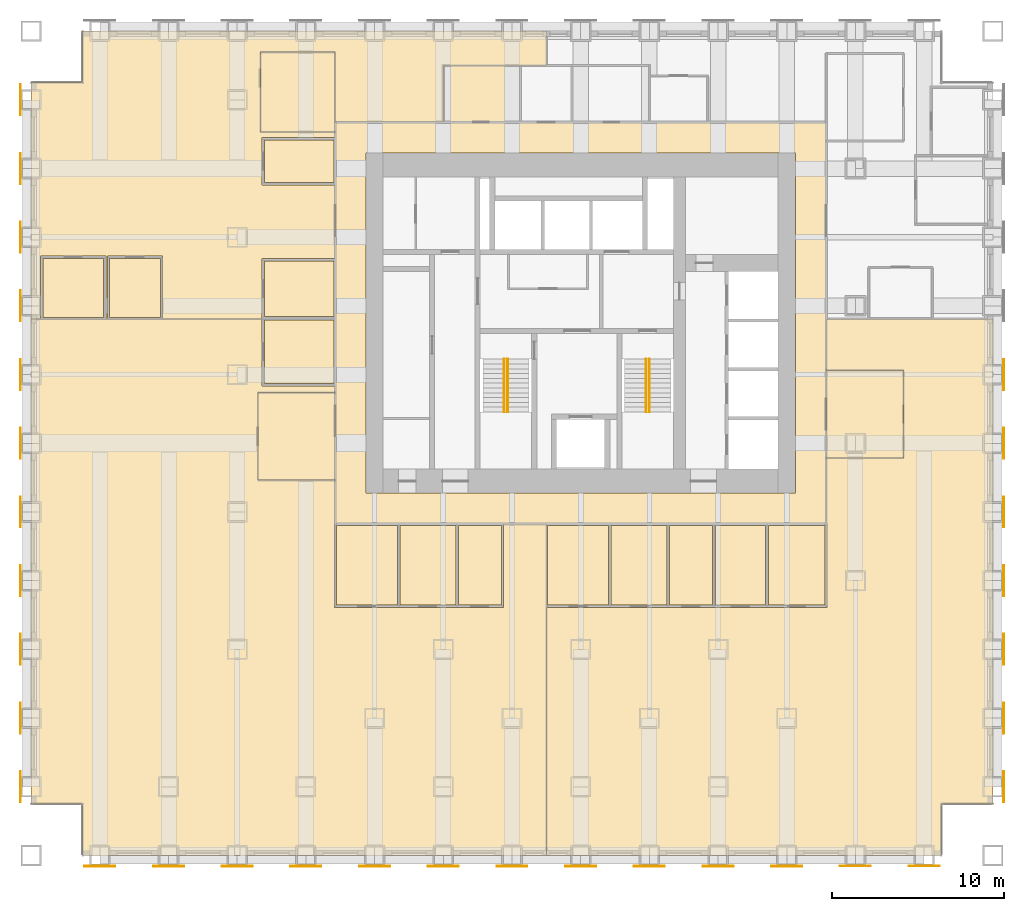
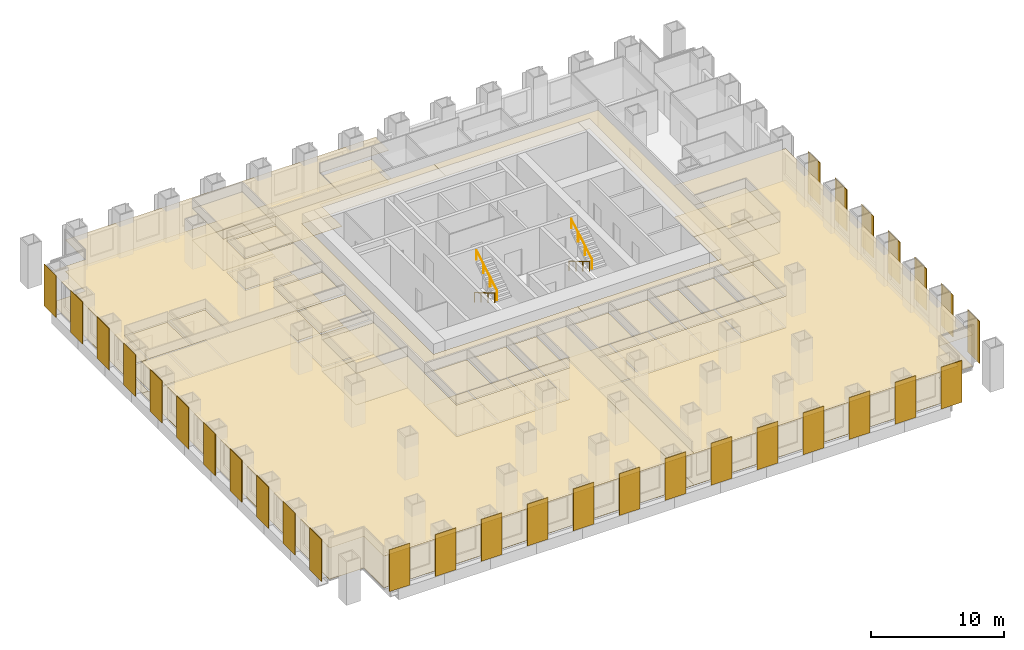
# One storey, part 14 of 15: 41 coverings, 31 shading devices, 4 railings.
"""IFC4 building model written with IfcOpenShell, lengths in metres."""

from ifc_helpers import new_model, si_unit, direction, frame, origin, origin_2d, place, context, subcontext, project, spatial, polyline, rectangle, circle, outline, extrude, material, layer, layer_set, type_object, element, save


model = new_model("IFC4")

# Units and contexts
model_context = context("Model", 3, precision=1e-05, world=origin(), true_north=direction((0.0, 1.0)))
body_context = subcontext(model_context, "Body", "Model", "MODEL_VIEW")
ifc_project = project(units=[si_unit("LENGTHUNIT", "METRE"), si_unit("AREAUNIT", "SQUARE_METRE"), si_unit("VOLUMEUNIT", "CUBIC_METRE"), si_unit("PLANEANGLEUNIT", "RADIAN"), si_unit("MASSUNIT", "GRAM", prefix="KILO")], contexts=[model_context])

# Site, building, storey
site_placement = place(None, origin())
site = spatial("IfcSite", under=ifc_project, at=site_placement, CompositionType="ELEMENT")
building_placement = place(site_placement, origin())
building = spatial("IfcBuilding", under=site, at=building_placement, Name="Rimbunsela Tower", CompositionType="ELEMENT")
storey_placement = place(building_placement, frame((0.0, 0.0, 23.0)))
storey = spatial("IfcBuildingStorey", under=building, at=storey_placement, Name="L05", CompositionType="ELEMENT", Elevation=23.0)

# Coverings
ifc_material_1 = material(Name="Nylon carpet tile", Category="textile")
ifc_layer_1 = layer(ifc_material_1, 0.010009765625)
ifc_layer_set_1 = layer_set([ifc_layer_1], Name="Carpet tile 10")
covering_type_1 = type_object("IfcCoveringType", Name="Carpet tile 10", PredefinedType="FLOORING", material=ifc_layer_set_1)
covering_1_placement = place(storey_placement, origin())
element("IfcCovering", 1, at=covering_1_placement, inside=storey, type_object=covering_type_1, Name="Floor finish Open office", PredefinedType="FLOORING", context=body_context, shape_type="SweptSolid", body=[
    extrude(outline(polyline([(19.449951171875, 10.449951171875), (22.75, 10.449951171875), (22.85009765625, 10.449951171875), (25.5, 10.449951171875), (25.5, 15.300048828125), (27.9990234375, 15.300048828125), (27.9990234375, -4.0), (15.699951171875, -4.0), (1.0, -4.0), (1.0, -1.0), (-2.0, -1.0), (-2.0, 27.2490234375), (11.449951171875, 27.2490234375), (11.449951171875, 23.35009765625), (15.699951171875, 23.35009765625), (15.699951171875, 22.949951171875), (11.199951171875, 22.949951171875), (11.199951171875, 17.85009765625), (15.699951171875, 17.85009765625), (15.699951171875, 15.35009765625), (15.64990234375, 15.35009765625), (15.64990234375, 10.449951171875), (15.699951171875, 10.449951171875), (19.35009765625, 10.449951171875), (19.449951171875, 10.449951171875)])), origin(), (0.0, 0.0, 1.0), 0.010009765625),
])
covering_2_placement = place(storey_placement, origin())
element("IfcCovering", 2, at=covering_2_placement, inside=storey, type_object=covering_type_1, Name="Floor finish Open office", PredefinedType="FLOORING", context=body_context, shape_type="SweptSolid", body=[
    extrude(outline(polyline([(15.699951171875, 42.77490234375), (11.35009765625, 42.77490234375), (11.35009765625, 38.125), (15.699951171875, 38.125), (15.699951171875, 37.800048828125), (11.449951171875, 37.800048828125), (11.449951171875, 35.050048828125), (15.699951171875, 35.050048828125), (15.699951171875, 30.75), (11.449951171875, 30.75), (11.449951171875, 27.2509765625), (5.64990234375, 27.2509765625), (5.64990234375, 30.89990234375), (2.449951171875, 30.89990234375), (2.449951171875, 27.2509765625), (2.35009765625, 27.2509765625), (2.35009765625, 30.89990234375), (-1.449951171875, 30.89990234375), (-1.449951171875, 27.2509765625), (-2.0, 27.2509765625), (-2.0, 41.0), (1.0, 41.0), (1.0, 44.0), (15.699951171875, 44.0), (27.9990234375, 44.0), (27.9990234375, 42.0), (22.0, 42.0), (22.0, 38.699951171875), (15.699951171875, 38.699951171875), (15.699951171875, 42.77490234375)])), origin(), (0.0, 0.0, 1.0), 0.010009765625),
])
covering_3_placement = place(storey_placement, origin())
element("IfcCovering", 3, at=covering_3_placement, inside=storey, type_object=covering_type_1, Name="Floor finish Open office", PredefinedType="FLOORING", context=body_context, shape_type="SweptSolid", body=[
    extrude(outline(polyline([(28.0009765625, 10.449951171875), (31.65087890625, 10.449951171875), (31.7509765625, 10.449951171875), (35.051025390625, 10.449951171875), (35.15087890625, 10.449951171875), (37.700927734375, 10.449951171875), (37.801025390625, 10.449951171875), (40.801025390625, 10.449951171875), (40.90087890625, 10.449951171875), (44.300048828125, 10.449951171875), (44.35009765625, 10.449951171875), (44.35009765625, 15.35009765625), (44.300048828125, 15.35009765625), (44.300048828125, 19.14990234375), (48.800048828125, 19.14990234375), (48.800048828125, 24.25), (44.300048828125, 24.25), (44.300048828125, 27.2490234375), (54.0, 27.2490234375), (54.0, -1.0), (51.0, -1.0), (51.0, -4.0), (44.300048828125, -4.0), (28.0009765625, -4.0), (28.0009765625, 10.449951171875)])), origin(), (0.0, 0.0, 1.0), 0.010009765625),
])
covering_4_placement = place(storey_placement, origin())
element("IfcCovering", 4, at=covering_4_placement, inside=storey, type_object=covering_type_1, Name="Floor finish Reception", PredefinedType="FLOORING", context=body_context, shape_type="SweptSolid", body=[
    extrude(outline(polyline([(15.699951171875, 17.85009765625), (15.699951171875, 22.949951171875), (11.199951171875, 22.949951171875), (11.199951171875, 17.85009765625), (15.699951171875, 17.85009765625)])), origin(), (0.0, 0.0, 1.0), 0.010009765625),
])
covering_5_placement = place(storey_placement, origin())
element("IfcCovering", 5, at=covering_5_placement, inside=storey, type_object=covering_type_1, Name="Floor finish Reception", PredefinedType="FLOORING", context=body_context, shape_type="SweptSolid", body=[
    extrude(outline(polyline([(15.699951171875, 38.125), (15.699951171875, 42.77490234375), (11.35009765625, 42.77490234375), (11.35009765625, 38.125), (15.699951171875, 38.125)])), origin(), (0.0, 0.0, 1.0), 0.010009765625),
])
covering_6_placement = place(storey_placement, origin())
element("IfcCovering", 6, at=covering_6_placement, inside=storey, type_object=covering_type_1, Name="Floor finish Reception", PredefinedType="FLOORING", context=body_context, shape_type="SweptSolid", body=[
    extrude(outline(polyline([(48.800048828125, 19.14990234375), (48.800048828125, 24.25), (44.300048828125, 24.25), (44.300048828125, 19.14990234375), (48.800048828125, 19.14990234375)])), origin(), (0.0, 0.0, 1.0), 0.010009765625),
])
covering_7_placement = place(storey_placement, origin())
element("IfcCovering", 7, at=covering_7_placement, inside=storey, type_object=covering_type_1, Name="Floor finish Meeting room", PredefinedType="FLOORING", context=body_context, shape_type="SweptSolid", body=[
    extrude(outline(polyline([(19.324951171875, 10.574951171875), (19.324951171875, 15.22509765625), (15.77490234375, 15.22509765625), (15.77490234375, 10.574951171875), (19.324951171875, 10.574951171875)])), origin(), (0.0, 0.0, 1.0), 0.010009765625),
])
covering_8_placement = place(storey_placement, origin())
element("IfcCovering", 8, at=covering_8_placement, inside=storey, type_object=covering_type_1, Name="Floor finish Pantry", PredefinedType="FLOORING", context=body_context, shape_type="SweptSolid", body=[
    extrude(outline(polyline([(22.72509765625, 10.574951171875), (22.72509765625, 15.22509765625), (19.47509765625, 15.22509765625), (19.47509765625, 10.574951171875), (22.72509765625, 10.574951171875)])), origin(), (0.0, 0.0, 1.0), 0.010009765625),
])
covering_9_placement = place(storey_placement, origin())
element("IfcCovering", 9, at=covering_9_placement, inside=storey, type_object=covering_type_1, Name="Floor finish Print and copy room", PredefinedType="FLOORING", context=body_context, shape_type="SweptSolid", body=[
    extrude(outline(polyline([(25.375, 10.574951171875), (25.375, 15.22509765625), (22.875, 15.22509765625), (22.875, 10.574951171875), (25.375, 10.574951171875)])), origin(), (0.0, 0.0, 1.0), 0.010009765625),
])
covering_10_placement = place(storey_placement, origin())
element("IfcCovering", 10, at=covering_10_placement, inside=storey, type_object=covering_type_1, Name="Floor finish Office", PredefinedType="FLOORING", context=body_context, shape_type="SweptSolid", body=[
    extrude(outline(polyline([(15.625, 23.47509765625), (15.625, 27.174072265625), (11.574951171875, 27.174072265625), (11.574951171875, 23.47509765625), (15.625, 23.47509765625)])), origin(), (0.0, 0.0, 1.0), 0.010009765625),
])
covering_11_placement = place(storey_placement, origin())
element("IfcCovering", 11, at=covering_11_placement, inside=storey, type_object=covering_type_1, Name="Floor finish Meeting room", PredefinedType="FLOORING", context=body_context, shape_type="SweptSolid", body=[
    extrude(outline(polyline([(31.6259765625, 10.574951171875), (31.6259765625, 15.22509765625), (28.075927734375, 15.22509765625), (28.075927734375, 10.574951171875), (31.6259765625, 10.574951171875)])), origin(), (0.0, 0.0, 1.0), 0.010009765625),
])
covering_12_placement = place(storey_placement, origin())
element("IfcCovering", 12, at=covering_12_placement, inside=storey, type_object=covering_type_1, Name="Floor finish Pantry", PredefinedType="FLOORING", context=body_context, shape_type="SweptSolid", body=[
    extrude(outline(polyline([(35.02587890625, 10.574951171875), (35.02587890625, 15.22509765625), (31.77587890625, 15.22509765625), (31.77587890625, 10.574951171875), (35.02587890625, 10.574951171875)])), origin(), (0.0, 0.0, 1.0), 0.010009765625),
])
covering_13_placement = place(storey_placement, origin())
element("IfcCovering", 13, at=covering_13_placement, inside=storey, type_object=covering_type_1, Name="Floor finish Print and copy room", PredefinedType="FLOORING", context=body_context, shape_type="SweptSolid", body=[
    extrude(outline(polyline([(37.676025390625, 10.574951171875), (37.676025390625, 15.22509765625), (35.176025390625, 15.22509765625), (35.176025390625, 10.574951171875), (37.676025390625, 10.574951171875)])), origin(), (0.0, 0.0, 1.0), 0.010009765625),
])
covering_14_placement = place(storey_placement, origin())
element("IfcCovering", 14, at=covering_14_placement, inside=storey, type_object=covering_type_1, Name="Floor finish Office", PredefinedType="FLOORING", context=body_context, shape_type="SweptSolid", body=[
    extrude(outline(polyline([(40.77587890625, 10.574951171875), (40.77587890625, 15.22509765625), (37.825927734375, 15.22509765625), (37.825927734375, 10.574951171875), (40.77587890625, 10.574951171875)])), origin(), (0.0, 0.0, 1.0), 0.010009765625),
])
covering_15_placement = place(storey_placement, origin())
element("IfcCovering", 15, at=covering_15_placement, inside=storey, type_object=covering_type_1, Name="Floor finish Focus room", PredefinedType="FLOORING", context=body_context, shape_type="SweptSolid", body=[
    extrude(outline(polyline([(44.22509765625, 10.574951171875), (44.22509765625, 15.22509765625), (40.926025390625, 15.22509765625), (40.926025390625, 10.574951171875), (44.22509765625, 10.574951171875)])), origin(), (0.0, 0.0, 1.0), 0.010009765625),
])
covering_16_placement = place(storey_placement, origin())
element("IfcCovering", 16, at=covering_16_placement, inside=storey, type_object=covering_type_1, Name="Floor finish Meeting room", PredefinedType="FLOORING", context=body_context, shape_type="SweptSolid", body=[
    extrude(outline(polyline([(2.22509765625, 27.324951171875), (2.22509765625, 30.77490234375), (-1.324951171875, 30.77490234375), (-1.324951171875, 27.324951171875), (2.22509765625, 27.324951171875)])), origin(), (0.0, 0.0, 1.0), 0.010009765625),
])
covering_17_placement = place(storey_placement, origin())
element("IfcCovering", 17, at=covering_17_placement, inside=storey, type_object=covering_type_1, Name="Floor finish Pantry", PredefinedType="FLOORING", context=body_context, shape_type="SweptSolid", body=[
    extrude(outline(polyline([(15.625, 27.375), (15.625, 30.625), (11.574951171875, 30.625), (11.574951171875, 27.375), (15.625, 27.375)])), origin(), (0.0, 0.0, 1.0), 0.010009765625),
])
covering_18_placement = place(storey_placement, origin())
element("IfcCovering", 18, at=covering_18_placement, inside=storey, type_object=covering_type_1, Name="Floor finish Print and copy room", PredefinedType="FLOORING", context=body_context, shape_type="SweptSolid", body=[
    extrude(outline(polyline([(15.625, 35.175048828125), (15.625, 37.675048828125), (11.574951171875, 37.675048828125), (11.574951171875, 35.175048828125), (15.625, 35.175048828125)])), origin(), (0.0, 0.0, 1.0), 0.010009765625),
])
covering_19_placement = place(storey_placement, origin())
element("IfcCovering", 19, at=covering_19_placement, inside=storey, type_object=covering_type_1, Name="Floor finish Office", PredefinedType="FLOORING", context=body_context, shape_type="SweptSolid", body=[
    extrude(outline(polyline([(5.52490234375, 27.324951171875), (5.52490234375, 30.77490234375), (2.574951171875, 30.77490234375), (2.574951171875, 27.324951171875), (5.52490234375, 27.324951171875)])), origin(), (0.0, 0.0, 1.0), 0.010009765625),
])
ifc_material_2 = material(Name="Mineral fibre ceiling tile", Category="gypsum")
ifc_layer_2 = layer(ifc_material_2, 0.02001953125)
ifc_layer_set_2 = layer_set([ifc_layer_2], Name="Ceiling 600 grid")
covering_type_2 = type_object("IfcCoveringType", Name="Ceiling 600 grid", PredefinedType="CEILING", material=ifc_layer_set_2)
covering_20_placement = place(storey_placement, frame((0.0, 0.0, 2.89990234375)))
element("IfcCovering", 20, at=covering_20_placement, inside=storey, type_object=covering_type_2, Name="Ceiling Ring corridor", PredefinedType="CEILING", context=body_context, shape_type="SweptSolid", body=[
    extrude(outline(polyline([(15.699951171875, 38.699951171875), (30.0, 38.699951171875), (30.0, 36.89990234375), (17.5, 36.89990234375), (17.5, 17.10009765625), (30.0, 17.10009765625), (30.0, 15.300048828125), (15.699951171875, 15.300048828125), (15.699951171875, 38.699951171875)])), origin(), (0.0, 0.0, 1.0), 0.02001953125),
])
covering_21_placement = place(storey_placement, frame((0.0, 0.0, 2.89990234375)))
element("IfcCovering", 21, at=covering_21_placement, inside=storey, type_object=covering_type_2, Name="Ceiling Ring corridor", PredefinedType="CEILING", context=body_context, shape_type="SweptSolid", body=[
    extrude(outline(polyline([(44.300048828125, 38.699951171875), (44.300048828125, 15.300048828125), (30.0, 15.300048828125), (30.0, 17.10009765625), (42.5, 17.10009765625), (42.5, 36.89990234375), (30.0, 36.89990234375), (30.0, 38.699951171875), (44.300048828125, 38.699951171875)])), origin(), (0.0, 0.0, 1.0), 0.02001953125),
])
covering_22_placement = place(storey_placement, frame((0.0, 0.0, 2.89990234375)))
element("IfcCovering", 22, at=covering_22_placement, inside=storey, type_object=covering_type_2, Name="Ceiling Open office", PredefinedType="CEILING", context=body_context, shape_type="SweptSolid", body=[
    extrude(outline(polyline([(19.449951171875, 10.449951171875), (22.75, 10.449951171875), (22.85009765625, 10.449951171875), (25.5, 10.449951171875), (25.5, 15.300048828125), (27.9990234375, 15.300048828125), (27.9990234375, -4.0), (15.699951171875, -4.0), (1.0, -4.0), (1.0, -1.0), (-2.0, -1.0), (-2.0, 27.2490234375), (11.449951171875, 27.2490234375), (11.449951171875, 23.35009765625), (15.699951171875, 23.35009765625), (15.699951171875, 22.949951171875), (11.199951171875, 22.949951171875), (11.199951171875, 17.85009765625), (15.699951171875, 17.85009765625), (15.699951171875, 15.35009765625), (15.64990234375, 15.35009765625), (15.64990234375, 10.449951171875), (15.699951171875, 10.449951171875), (19.35009765625, 10.449951171875), (19.449951171875, 10.449951171875)])), origin(), (0.0, 0.0, 1.0), 0.02001953125),
])
covering_23_placement = place(storey_placement, frame((0.0, 0.0, 2.89990234375)))
element("IfcCovering", 23, at=covering_23_placement, inside=storey, type_object=covering_type_2, Name="Ceiling Open office", PredefinedType="CEILING", context=body_context, shape_type="SweptSolid", body=[
    extrude(outline(polyline([(15.699951171875, 42.77490234375), (11.35009765625, 42.77490234375), (11.35009765625, 38.125), (15.699951171875, 38.125), (15.699951171875, 37.800048828125), (11.449951171875, 37.800048828125), (11.449951171875, 35.050048828125), (15.699951171875, 35.050048828125), (15.699951171875, 30.75), (11.449951171875, 30.75), (11.449951171875, 27.2509765625), (5.64990234375, 27.2509765625), (5.64990234375, 30.89990234375), (2.449951171875, 30.89990234375), (2.449951171875, 27.2509765625), (2.35009765625, 27.2509765625), (2.35009765625, 30.89990234375), (-1.449951171875, 30.89990234375), (-1.449951171875, 27.2509765625), (-2.0, 27.2509765625), (-2.0, 41.0), (1.0, 41.0), (1.0, 44.0), (15.699951171875, 44.0), (27.9990234375, 44.0), (27.9990234375, 42.0), (22.0, 42.0), (22.0, 38.699951171875), (15.699951171875, 38.699951171875), (15.699951171875, 42.77490234375)])), origin(), (0.0, 0.0, 1.0), 0.02001953125),
])
covering_24_placement = place(storey_placement, frame((0.0, 0.0, 2.89990234375)))
element("IfcCovering", 24, at=covering_24_placement, inside=storey, type_object=covering_type_2, Name="Ceiling Open office", PredefinedType="CEILING", context=body_context, shape_type="SweptSolid", body=[
    extrude(outline(polyline([(28.0009765625, 10.449951171875), (31.65087890625, 10.449951171875), (31.7509765625, 10.449951171875), (35.051025390625, 10.449951171875), (35.15087890625, 10.449951171875), (37.700927734375, 10.449951171875), (37.801025390625, 10.449951171875), (40.801025390625, 10.449951171875), (40.90087890625, 10.449951171875), (44.300048828125, 10.449951171875), (44.35009765625, 10.449951171875), (44.35009765625, 15.35009765625), (44.300048828125, 15.35009765625), (44.300048828125, 19.14990234375), (48.800048828125, 19.14990234375), (48.800048828125, 24.25), (44.300048828125, 24.25), (44.300048828125, 27.2490234375), (54.0, 27.2490234375), (54.0, -1.0), (51.0, -1.0), (51.0, -4.0), (44.300048828125, -4.0), (28.0009765625, -4.0), (28.0009765625, 10.449951171875)])), origin(), (0.0, 0.0, 1.0), 0.02001953125),
])
covering_25_placement = place(storey_placement, frame((0.0, 0.0, 2.89990234375)))
element("IfcCovering", 25, at=covering_25_placement, inside=storey, type_object=covering_type_2, Name="Ceiling Reception", PredefinedType="CEILING", context=body_context, shape_type="SweptSolid", body=[
    extrude(outline(polyline([(15.699951171875, 17.85009765625), (15.699951171875, 22.949951171875), (11.199951171875, 22.949951171875), (11.199951171875, 17.85009765625), (15.699951171875, 17.85009765625)])), origin(), (0.0, 0.0, 1.0), 0.02001953125),
])
covering_26_placement = place(storey_placement, frame((0.0, 0.0, 2.89990234375)))
element("IfcCovering", 26, at=covering_26_placement, inside=storey, type_object=covering_type_2, Name="Ceiling Reception", PredefinedType="CEILING", context=body_context, shape_type="SweptSolid", body=[
    extrude(outline(polyline([(15.699951171875, 38.125), (15.699951171875, 42.77490234375), (11.35009765625, 42.77490234375), (11.35009765625, 38.125), (15.699951171875, 38.125)])), origin(), (0.0, 0.0, 1.0), 0.02001953125),
])
covering_27_placement = place(storey_placement, frame((0.0, 0.0, 2.89990234375)))
element("IfcCovering", 27, at=covering_27_placement, inside=storey, type_object=covering_type_2, Name="Ceiling Reception", PredefinedType="CEILING", context=body_context, shape_type="SweptSolid", body=[
    extrude(outline(polyline([(48.800048828125, 19.14990234375), (48.800048828125, 24.25), (44.300048828125, 24.25), (44.300048828125, 19.14990234375), (48.800048828125, 19.14990234375)])), origin(), (0.0, 0.0, 1.0), 0.02001953125),
])
covering_28_placement = place(storey_placement, frame((0.0, 0.0, 2.89990234375)))
element("IfcCovering", 28, at=covering_28_placement, inside=storey, type_object=covering_type_2, Name="Ceiling Meeting room", PredefinedType="CEILING", context=body_context, shape_type="SweptSolid", body=[
    extrude(outline(polyline([(19.324951171875, 10.574951171875), (19.324951171875, 15.22509765625), (15.77490234375, 15.22509765625), (15.77490234375, 10.574951171875), (19.324951171875, 10.574951171875)])), origin(), (0.0, 0.0, 1.0), 0.02001953125),
])
covering_29_placement = place(storey_placement, frame((0.0, 0.0, 2.89990234375)))
element("IfcCovering", 29, at=covering_29_placement, inside=storey, type_object=covering_type_2, Name="Ceiling Pantry", PredefinedType="CEILING", context=body_context, shape_type="SweptSolid", body=[
    extrude(outline(polyline([(22.72509765625, 10.574951171875), (22.72509765625, 15.22509765625), (19.47509765625, 15.22509765625), (19.47509765625, 10.574951171875), (22.72509765625, 10.574951171875)])), origin(), (0.0, 0.0, 1.0), 0.02001953125),
])
covering_30_placement = place(storey_placement, frame((0.0, 0.0, 2.89990234375)))
element("IfcCovering", 30, at=covering_30_placement, inside=storey, type_object=covering_type_2, Name="Ceiling Print and copy room", PredefinedType="CEILING", context=body_context, shape_type="SweptSolid", body=[
    extrude(outline(polyline([(25.375, 10.574951171875), (25.375, 15.22509765625), (22.875, 15.22509765625), (22.875, 10.574951171875), (25.375, 10.574951171875)])), origin(), (0.0, 0.0, 1.0), 0.02001953125),
])
covering_31_placement = place(storey_placement, frame((0.0, 0.0, 2.89990234375)))
element("IfcCovering", 31, at=covering_31_placement, inside=storey, type_object=covering_type_2, Name="Ceiling Office", PredefinedType="CEILING", context=body_context, shape_type="SweptSolid", body=[
    extrude(outline(polyline([(15.625, 23.47509765625), (15.625, 27.174072265625), (11.574951171875, 27.174072265625), (11.574951171875, 23.47509765625), (15.625, 23.47509765625)])), origin(), (0.0, 0.0, 1.0), 0.02001953125),
])
covering_32_placement = place(storey_placement, frame((0.0, 0.0, 2.89990234375)))
element("IfcCovering", 32, at=covering_32_placement, inside=storey, type_object=covering_type_2, Name="Ceiling Meeting room", PredefinedType="CEILING", context=body_context, shape_type="SweptSolid", body=[
    extrude(outline(polyline([(31.6259765625, 10.574951171875), (31.6259765625, 15.22509765625), (28.075927734375, 15.22509765625), (28.075927734375, 10.574951171875), (31.6259765625, 10.574951171875)])), origin(), (0.0, 0.0, 1.0), 0.02001953125),
])
covering_33_placement = place(storey_placement, frame((0.0, 0.0, 2.89990234375)))
element("IfcCovering", 33, at=covering_33_placement, inside=storey, type_object=covering_type_2, Name="Ceiling Pantry", PredefinedType="CEILING", context=body_context, shape_type="SweptSolid", body=[
    extrude(outline(polyline([(35.02587890625, 10.574951171875), (35.02587890625, 15.22509765625), (31.77587890625, 15.22509765625), (31.77587890625, 10.574951171875), (35.02587890625, 10.574951171875)])), origin(), (0.0, 0.0, 1.0), 0.02001953125),
])
covering_34_placement = place(storey_placement, frame((0.0, 0.0, 2.89990234375)))
element("IfcCovering", 34, at=covering_34_placement, inside=storey, type_object=covering_type_2, Name="Ceiling Print and copy room", PredefinedType="CEILING", context=body_context, shape_type="SweptSolid", body=[
    extrude(outline(polyline([(37.676025390625, 10.574951171875), (37.676025390625, 15.22509765625), (35.176025390625, 15.22509765625), (35.176025390625, 10.574951171875), (37.676025390625, 10.574951171875)])), origin(), (0.0, 0.0, 1.0), 0.02001953125),
])
covering_35_placement = place(storey_placement, frame((0.0, 0.0, 2.89990234375)))
element("IfcCovering", 35, at=covering_35_placement, inside=storey, type_object=covering_type_2, Name="Ceiling Office", PredefinedType="CEILING", context=body_context, shape_type="SweptSolid", body=[
    extrude(outline(polyline([(40.77587890625, 10.574951171875), (40.77587890625, 15.22509765625), (37.825927734375, 15.22509765625), (37.825927734375, 10.574951171875), (40.77587890625, 10.574951171875)])), origin(), (0.0, 0.0, 1.0), 0.02001953125),
])
covering_36_placement = place(storey_placement, frame((0.0, 0.0, 2.89990234375)))
element("IfcCovering", 36, at=covering_36_placement, inside=storey, type_object=covering_type_2, Name="Ceiling Focus room", PredefinedType="CEILING", context=body_context, shape_type="SweptSolid", body=[
    extrude(outline(polyline([(44.22509765625, 10.574951171875), (44.22509765625, 15.22509765625), (40.926025390625, 15.22509765625), (40.926025390625, 10.574951171875), (44.22509765625, 10.574951171875)])), origin(), (0.0, 0.0, 1.0), 0.02001953125),
])
covering_37_placement = place(storey_placement, frame((0.0, 0.0, 2.89990234375)))
element("IfcCovering", 37, at=covering_37_placement, inside=storey, type_object=covering_type_2, Name="Ceiling Meeting room", PredefinedType="CEILING", context=body_context, shape_type="SweptSolid", body=[
    extrude(outline(polyline([(2.22509765625, 27.324951171875), (2.22509765625, 30.77490234375), (-1.324951171875, 30.77490234375), (-1.324951171875, 27.324951171875), (2.22509765625, 27.324951171875)])), origin(), (0.0, 0.0, 1.0), 0.02001953125),
])
covering_38_placement = place(storey_placement, frame((0.0, 0.0, 2.89990234375)))
element("IfcCovering", 38, at=covering_38_placement, inside=storey, type_object=covering_type_2, Name="Ceiling Pantry", PredefinedType="CEILING", context=body_context, shape_type="SweptSolid", body=[
    extrude(outline(polyline([(15.625, 27.375), (15.625, 30.625), (11.574951171875, 30.625), (11.574951171875, 27.375), (15.625, 27.375)])), origin(), (0.0, 0.0, 1.0), 0.02001953125),
])
covering_39_placement = place(storey_placement, frame((0.0, 0.0, 2.89990234375)))
element("IfcCovering", 39, at=covering_39_placement, inside=storey, type_object=covering_type_2, Name="Ceiling Print and copy room", PredefinedType="CEILING", context=body_context, shape_type="SweptSolid", body=[
    extrude(outline(polyline([(15.625, 35.175048828125), (15.625, 37.675048828125), (11.574951171875, 37.675048828125), (11.574951171875, 35.175048828125), (15.625, 35.175048828125)])), origin(), (0.0, 0.0, 1.0), 0.02001953125),
])
covering_40_placement = place(storey_placement, frame((0.0, 0.0, 2.89990234375)))
element("IfcCovering", 40, at=covering_40_placement, inside=storey, type_object=covering_type_2, Name="Ceiling Office", PredefinedType="CEILING", context=body_context, shape_type="SweptSolid", body=[
    extrude(outline(polyline([(5.52490234375, 27.324951171875), (5.52490234375, 30.77490234375), (2.574951171875, 30.77490234375), (2.574951171875, 27.324951171875), (5.52490234375, 27.324951171875)])), origin(), (0.0, 0.0, 1.0), 0.02001953125),
])
ifc_material_3 = material(Name="Moisture-resistant plasterboard ceiling", Category="gypsum")
ifc_layer_3 = layer(ifc_material_3, 0.012451171875)
ifc_layer_set_3 = layer_set([ifc_layer_3], Name="Ceiling moisture-resistant board")
covering_type_3 = type_object("IfcCoveringType", Name="Ceiling moisture-resistant board", PredefinedType="CEILING", material=ifc_layer_set_3)
covering_41_placement = place(storey_placement, frame((0.0, 0.0, 2.60009765625)))
element("IfcCovering", 41, at=covering_41_placement, inside=storey, type_object=covering_type_3, Name="Ceiling Female WC", PredefinedType="CEILING", context=body_context, shape_type="SweptSolid", body=[
    extrude(outline(polyline([(26.5, 38.699951171875), (26.5, 42.0), (22.0, 42.0), (22.0, 38.699951171875), (26.5, 38.699951171875)])), origin(), (0.0, 0.0, 1.0), 0.02001953125),
])

# Shading devices
ifc_material_4 = material(Name="Perforated aluminium, 35 % open area", Category="aluminium")
ifc_layer_4 = layer(ifc_material_4, 0.050048828125)
ifc_layer_set_4 = layer_set([ifc_layer_4], Name="Solar screen panel 1800")
shading_device_type = type_object("IfcShadingDeviceType", Name="Solar screen panel 1800", PredefinedType="USERDEFINED", material=ifc_layer_set_4)
for number, where, z_axis, x_axis, name in (
    (42, (2.0, -4.625, 0.0), (0.0, 0.0, 1.0), (1.0, 0.0, 0.0), "Solar screen S L05"),
    (43, (6.0, -4.625, 0.0), (0.0, 0.0, 1.0), (1.0, 0.0, 0.0), "Solar screen S L05"),
    (44, (10.0, -4.625, 0.0), (0.0, 0.0, 1.0), (1.0, 0.0, 0.0), "Solar screen S L05"),
    (45, (14.0, -4.625, 0.0), (0.0, 0.0, 1.0), (1.0, 0.0, 0.0), "Solar screen S L05"),
    (46, (18.0, -4.625, 0.0), (0.0, 0.0, 1.0), (1.0, 0.0, 0.0), "Solar screen S L05"),
    (47, (22.0, -4.625, 0.0), (0.0, 0.0, 1.0), (1.0, 0.0, 0.0), "Solar screen S L05"),
    (48, (26.0, -4.625, 0.0), (0.0, 0.0, 1.0), (1.0, 0.0, 0.0), "Solar screen S L05"),
    (49, (30.0, -4.625, 0.0), (0.0, 0.0, 1.0), (1.0, 0.0, 0.0), "Solar screen S L05"),
    (50, (34.0, -4.625, 0.0), (0.0, 0.0, 1.0), (1.0, 0.0, 0.0), "Solar screen S L05"),
    (51, (38.0, -4.625, 0.0), (0.0, 0.0, 1.0), (1.0, 0.0, 0.0), "Solar screen S L05"),
    (52, (42.0, -4.625, 0.0), (0.0, 0.0, 1.0), (1.0, 0.0, 0.0), "Solar screen S L05"),
    (53, (46.0, -4.625, 0.0), (0.0, 0.0, 1.0), (1.0, 0.0, 0.0), "Solar screen S L05"),
    (54, (50.0, -4.625, 0.0), (0.0, 0.0, 1.0), (1.0, 0.0, 0.0), "Solar screen S L05"),
    (55, (54.625, 0.0, 0.0), (0.0, 0.0, 1.0), (0.0, 1.0, 0.0), "Solar screen E L05"),
    (56, (54.625, 4.0, 0.0), (0.0, 0.0, 1.0), (0.0, 1.0, 0.0), "Solar screen E L05"),
    (57, (54.625, 8.0, 0.0), (0.0, 0.0, 1.0), (0.0, 1.0, 0.0), "Solar screen E L05"),
    (58, (54.625, 12.0, 0.0), (0.0, 0.0, 1.0), (0.0, 1.0, 0.0), "Solar screen E L05"),
    (59, (54.625, 16.0, 0.0), (0.0, 0.0, 1.0), (0.0, 1.0, 0.0), "Solar screen E L05"),
    (60, (54.625, 20.0, 0.0), (0.0, 0.0, 1.0), (0.0, 1.0, 0.0), "Solar screen E L05"),
    (61, (54.625, 24.0, 0.0), (0.0, 0.0, 1.0), (0.0, 1.0, 0.0), "Solar screen E L05"),
    (62, (-2.625, 0.0, 0.0), (0.0, 0.0, 1.0), (0.0, 1.0, 0.0), "Solar screen W L05"),
    (63, (-2.625, 4.0, 0.0), (0.0, 0.0, 1.0), (0.0, 1.0, 0.0), "Solar screen W L05"),
    (64, (-2.625, 8.0, 0.0), (0.0, 0.0, 1.0), (0.0, 1.0, 0.0), "Solar screen W L05"),
    (65, (-2.625, 12.0, 0.0), (0.0, 0.0, 1.0), (0.0, 1.0, 0.0), "Solar screen W L05"),
    (66, (-2.625, 16.0, 0.0), (0.0, 0.0, 1.0), (0.0, 1.0, 0.0), "Solar screen W L05"),
    (67, (-2.625, 20.0, 0.0), (0.0, 0.0, 1.0), (0.0, 1.0, 0.0), "Solar screen W L05"),
    (68, (-2.625, 24.0, 0.0), (0.0, 0.0, 1.0), (0.0, 1.0, 0.0), "Solar screen W L05"),
    (69, (-2.625, 28.0, 0.0), (0.0, 0.0, 1.0), (0.0, 1.0, 0.0), "Solar screen W L05"),
    (70, (-2.625, 32.0, 0.0), (0.0, 0.0, 1.0), (0.0, 1.0, 0.0), "Solar screen W L05"),
    (71, (-2.625, 36.0, 0.0), (0.0, 0.0, 1.0), (0.0, 1.0, 0.0), "Solar screen W L05"),
    (72, (-2.625, 40.0, 0.0), (0.0, 0.0, 1.0), (0.0, 1.0, 0.0), "Solar screen W L05"),
):
    element("IfcShadingDevice", number, at=place(storey_placement, frame(where, z_axis=z_axis, x_axis=x_axis)), inside=storey, type_object=shading_device_type, Name=name, ObjectType="SCREEN", PredefinedType="USERDEFINED", context=body_context, shape_type="SweptSolid", body=[
        extrude(rectangle(XDim=1.800048828125, YDim=0.050048828125, at=origin_2d()), origin(), (0.0, 0.0, 1.0), 3.85009765625),
    ])

# Railings
ifc_material_5 = material(Name="Stainless steel tube", Category="steel")
railing_type = type_object("IfcRailingType", Name="Stair handrail 900", PredefinedType="HANDRAIL", material=ifc_material_5)
railing_1_placement = place(storey_placement, frame((25.550048828125, 24.89990234375, 0.166748046875)))
element("IfcRailing", 73, at=railing_1_placement, inside=storey, type_object=railing_type, Name="Handrail ST-A flight 1", PredefinedType="HANDRAIL", context=body_context, shape_type="SweptSolid", body=[
    extrude(circle(Radius=0.02392578125, at=origin_2d()), frame((0.0, 0.0, 0.8759765625), z_axis=(0.0, -0.859290745958, 0.51148745235), x_axis=(1.0, 0.0, 0.0)), (0.0, 0.0, 1.0), 3.584228515625),
    extrude(circle(Radius=0.02099609375, at=origin_2d()), origin(), (0.0, 0.0, 1.0), 0.851806640625),
    extrude(circle(Radius=0.02099609375, at=origin_2d()), frame((0.0, -1.026611328125, 0.611083984375)), (0.0, 0.0, 1.0), 0.851806640625),
    extrude(circle(Radius=0.02099609375, at=origin_2d()), frame((0.0, -2.05322265625, 1.22216796875)), (0.0, 0.0, 1.0), 0.851806640625),
    extrude(circle(Radius=0.02099609375, at=origin_2d()), frame((0.0, -3.079833984375, 1.833251953125)), (0.0, 0.0, 1.0), 0.851806640625),
])
railing_2_placement = place(storey_placement, frame((25.75, 21.820068359375, 2.166748046875)))
element("IfcRailing", 74, at=railing_2_placement, inside=storey, type_object=railing_type, Name="Handrail ST-A flight 2", PredefinedType="HANDRAIL", context=body_context, shape_type="SweptSolid", body=[
    extrude(circle(Radius=0.02392578125, at=origin_2d()), frame((0.0, 0.0, 0.8759765625), z_axis=(0.0, 0.859290745958, 0.51148745235), x_axis=(-1.0, 0.0, 0.0)), (0.0, 0.0, 1.0), 3.584228515625),
    extrude(circle(Radius=0.02099609375, at=origin_2d()), origin(), (0.0, 0.0, 1.0), 0.851806640625),
    extrude(circle(Radius=0.02099609375, at=origin_2d()), frame((0.0, 1.026611328125, 0.611083984375)), (0.0, 0.0, 1.0), 0.851806640625),
    extrude(circle(Radius=0.02099609375, at=origin_2d()), frame((0.0, 2.05322265625, 1.22216796875)), (0.0, 0.0, 1.0), 0.851806640625),
    extrude(circle(Radius=0.02099609375, at=origin_2d()), frame((0.0, 3.079833984375, 1.833251953125)), (0.0, 0.0, 1.0), 0.851806640625),
])
railing_3_placement = place(storey_placement, frame((33.800048828125, 24.89990234375, 0.166748046875)))
element("IfcRailing", 75, at=railing_3_placement, inside=storey, type_object=railing_type, Name="Handrail ST-B flight 1", PredefinedType="HANDRAIL", context=body_context, shape_type="SweptSolid", body=[
    extrude(circle(Radius=0.02392578125, at=origin_2d()), frame((0.0, 0.0, 0.8759765625), z_axis=(0.0, -0.859290745958, 0.51148745235), x_axis=(1.0, 0.0, 0.0)), (0.0, 0.0, 1.0), 3.584228515625),
    extrude(circle(Radius=0.02099609375, at=origin_2d()), origin(), (0.0, 0.0, 1.0), 0.851806640625),
    extrude(circle(Radius=0.02099609375, at=origin_2d()), frame((0.0, -1.026611328125, 0.611083984375)), (0.0, 0.0, 1.0), 0.851806640625),
    extrude(circle(Radius=0.02099609375, at=origin_2d()), frame((0.0, -2.05322265625, 1.22216796875)), (0.0, 0.0, 1.0), 0.851806640625),
    extrude(circle(Radius=0.02099609375, at=origin_2d()), frame((0.0, -3.079833984375, 1.833251953125)), (0.0, 0.0, 1.0), 0.851806640625),
])
railing_4_placement = place(storey_placement, frame((34.0, 21.820068359375, 2.166748046875)))
element("IfcRailing", 76, at=railing_4_placement, inside=storey, type_object=railing_type, Name="Handrail ST-B flight 2", PredefinedType="HANDRAIL", context=body_context, shape_type="SweptSolid", body=[
    extrude(circle(Radius=0.02392578125, at=origin_2d()), frame((0.0, 0.0, 0.8759765625), z_axis=(0.0, 0.859290745958, 0.51148745235), x_axis=(-1.0, 0.0, 0.0)), (0.0, 0.0, 1.0), 3.584228515625),
    extrude(circle(Radius=0.02099609375, at=origin_2d()), origin(), (0.0, 0.0, 1.0), 0.851806640625),
    extrude(circle(Radius=0.02099609375, at=origin_2d()), frame((0.0, 1.026611328125, 0.611083984375)), (0.0, 0.0, 1.0), 0.851806640625),
    extrude(circle(Radius=0.02099609375, at=origin_2d()), frame((0.0, 2.05322265625, 1.22216796875)), (0.0, 0.0, 1.0), 0.851806640625),
    extrude(circle(Radius=0.02099609375, at=origin_2d()), frame((0.0, 3.079833984375, 1.833251953125)), (0.0, 0.0, 1.0), 0.851806640625),
])

save(model, "model.ifc")
